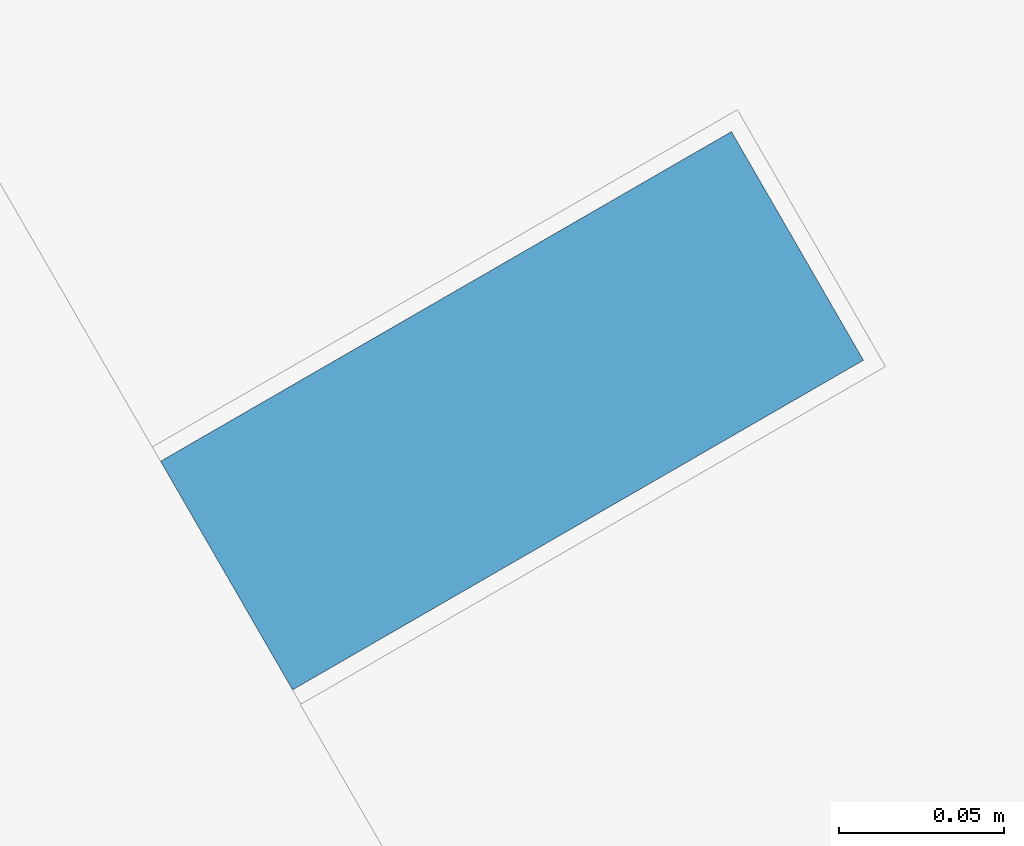
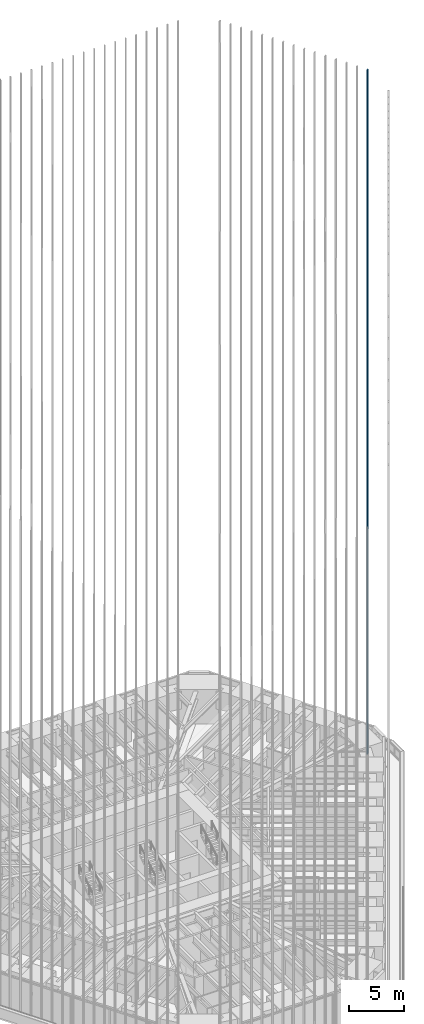
# One storey, part 181 of 238: 1 member, 1 element without a shape of its own.
"""IFC4 building model written with IfcOpenShell, lengths in metres."""

from ifc_helpers import new_model, si_unit, direction, frame, origin, origin_2d, place, context, subcontext, project, spatial, rectangle, extrude, material, material_profile, profile_set, type_object, element, aggregate, save


model = new_model("IFC4")

# Units and contexts
model_context = context("Model", 3, precision=1e-05, world=origin(), true_north=direction((0.0, 1.0)))
body_context = subcontext(model_context, "Body", "Model", "MODEL_VIEW")
ifc_project = project(units=[si_unit("LENGTHUNIT", "METRE"), si_unit("AREAUNIT", "SQUARE_METRE"), si_unit("VOLUMEUNIT", "CUBIC_METRE"), si_unit("PLANEANGLEUNIT", "RADIAN"), si_unit("MASSUNIT", "GRAM", prefix="KILO")], contexts=[model_context])

# Site, building, storey
site_placement = place(None, origin())
site = spatial("IfcSite", under=ifc_project, at=site_placement, CompositionType="ELEMENT")
building_placement = place(site_placement, origin())
building = spatial("IfcBuilding", under=site, at=building_placement, Name="Sandreach Pilgrim Tower", CompositionType="ELEMENT")
storey_placement = place(building_placement, frame((0.0, 0.0, 96.800048828125)))
storey = spatial("IfcBuildingStorey", under=building, at=storey_placement, Name="L23", CompositionType="ELEMENT", Elevation=96.800048828125)

# Curtain wall, member
ifc_material_1 = material(Name="Aluminium framed curtain wall", Category="aluminium")
curtain_wall_type = type_object("IfcCurtainWallType", Name="Hotel tower curtain wall", PredefinedType="NOTDEFINED", material=ifc_material_1)
curtain_wall_placement = place(storey_placement, origin())
curtain_wall = element("IfcCurtainWall", 1, at=curtain_wall_placement, inside=storey, type_object=curtain_wall_type, Name="CW-2 L23 NE", PredefinedType="NOTDEFINED")
ifc_material_2 = material(Name="Extruded terracotta on aluminium core", Category="masonry")
ifc_material_profile = material_profile(ifc_material_2, rectangle(XDim=0.080078125, YDim=0.199951171875, at=origin_2d()), Name="TBE 80X200")
ifc_profile_set = profile_set([ifc_material_profile], Name="Extruded terracotta on aluminium core")
member_type = type_object("IfcMemberType", Name="Terracotta baguette east", PredefinedType="USERDEFINED", material=ifc_profile_set)
member_placement = place(storey_placement, frame((28.630126953125, 7.595703125, 0.0), z_axis=(0.0, 0.0, 1.0), x_axis=(0.5, -0.866025403784, 0.0)))
member = element("IfcMember", 2, at=member_placement, type_object=member_type, Name="Baguette Z2 NE15", ObjectType="BAGUETTE", PredefinedType="USERDEFINED", context=body_context, shape_type="SweptSolid", body=[
    extrude(rectangle(XDim=0.080078125, YDim=0.199951171875, at=origin_2d()), origin(), (0.0, 0.0, 1.0), 75.83984375),
])
aggregate(curtain_wall, [member])

save(model, "model.ifc")
